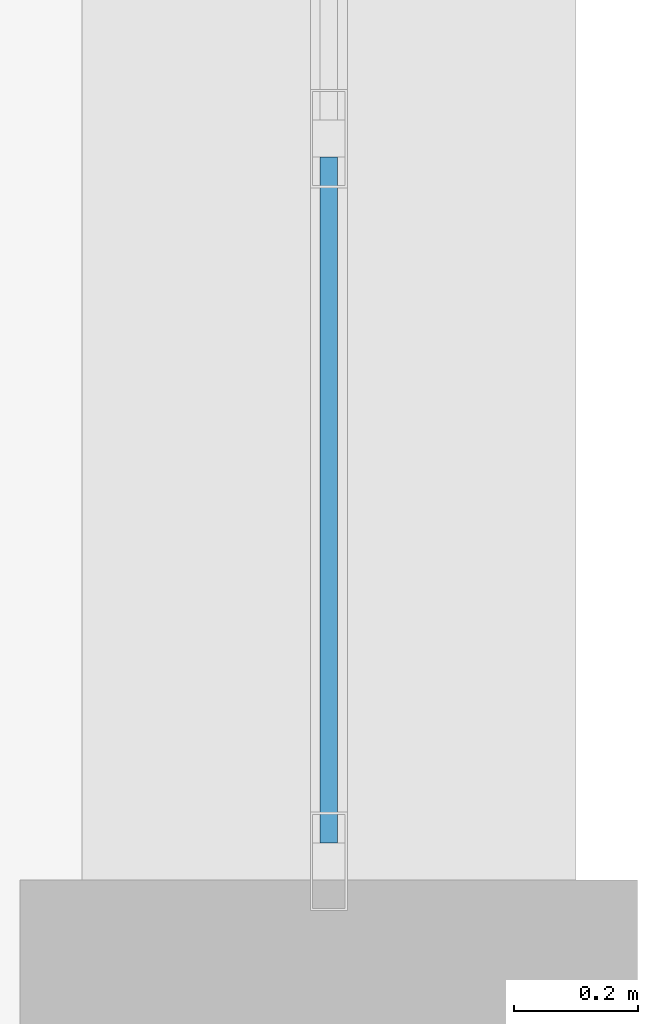
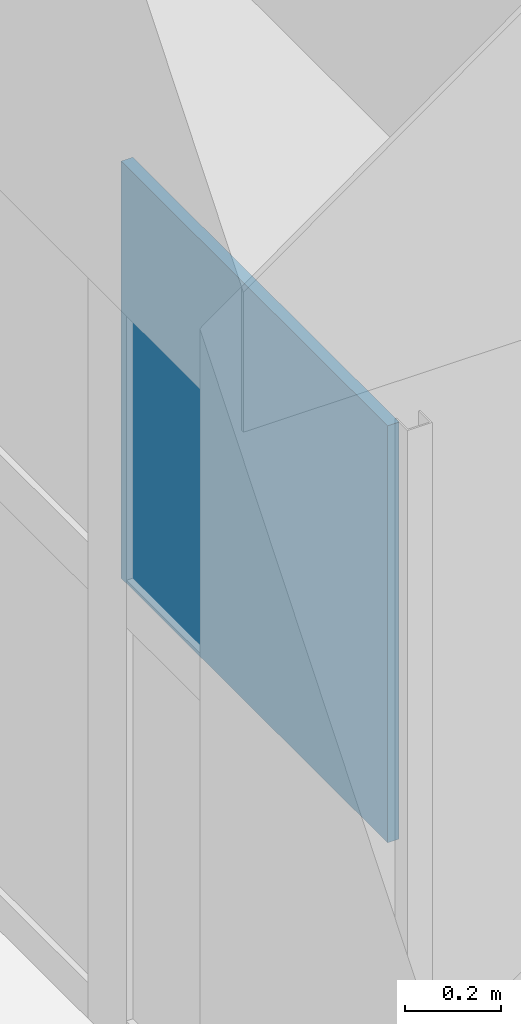
# One storey, part 44 of 74: 1 plate, 1 element without a shape of its own.
"""IFC4 building model written with IfcOpenShell, lengths in metres."""

from ifc_helpers import new_model, si_unit, direction, frame, origin, origin_2d, place, context, subcontext, project, spatial, rectangle, extrude, material, layer, layer_set, type_object, element, aggregate, save


model = new_model("IFC4")

# Units and contexts
model_context = context("Model", 3, precision=1e-05, world=origin(), true_north=direction((0.0, 1.0)))
body_context = subcontext(model_context, "Body", "Model", "MODEL_VIEW")
ifc_project = project(units=[si_unit("LENGTHUNIT", "METRE"), si_unit("AREAUNIT", "SQUARE_METRE"), si_unit("VOLUMEUNIT", "CUBIC_METRE"), si_unit("PLANEANGLEUNIT", "RADIAN"), si_unit("MASSUNIT", "GRAM", prefix="KILO")], contexts=[model_context])

# Site, building, storey
site_placement = place(None, origin())
site = spatial("IfcSite", under=ifc_project, at=site_placement, CompositionType="ELEMENT")
building_placement = place(site_placement, origin())
building = spatial("IfcBuilding", under=site, at=building_placement, Name="Muzn Square Opera House", CompositionType="ELEMENT")
storey_placement = place(building_placement, frame((0.0, 0.0, 14.199951171875)))
storey = spatial("IfcBuildingStorey", under=building, at=storey_placement, Name="L03", CompositionType="ELEMENT", Elevation=14.199951171875)

# Curtain wall, plate
ifc_material = material(Name="Low-E laminated acoustic double glazing", Category="glass")
ifc_layer_1 = layer(ifc_material, 0.159912109375, Name="Low-E laminated acoustic double glazing", Category="glass")
ifc_layer_set_1 = layer_set([ifc_layer_1], Name="Low-E laminated acoustic double glazing")
curtain_wall_type = type_object("IfcCurtainWallType", Name="Glazed Curtain Wall EastVaultCourt 3600x2300", PredefinedType="USERDEFINED", material=ifc_layer_set_1)
curtain_wall_placement = place(storey_placement, origin())
curtain_wall = element("IfcCurtainWall", 1, at=curtain_wall_placement, inside=storey, type_object=curtain_wall_type, Name="Glazed Curtain Wall CW-L03-066", ObjectType="GLAZED CURTAIN WALL", PredefinedType="USERDEFINED")
ifc_layer_2 = layer(ifc_material, 0.028076171875, Name="Low-E laminated acoustic double glazing", Category="glass")
ifc_layer_set_2 = layer_set([ifc_layer_2], Name="Low-E laminated acoustic double glazing")
plate_type = type_object("IfcPlateType", Name="Curtain Wall Acoustic Glazed Panel 28mm", PredefinedType="CURTAIN_PANEL", material=ifc_layer_set_2)
plate_placement = place(storey_placement, frame((133.0, 46.114990234375, 1.179931640625), z_axis=(0.0, 0.0, 1.0), x_axis=(0.0, 1.0, 0.0)))
plate = element("IfcPlate", 2, at=plate_placement, type_object=plate_type, Name="CW-EVC-36x23 panel 1.2", PredefinedType="CURTAIN_PANEL", context=body_context, shape_type="SweptSolid", body=[
    extrude(rectangle(XDim=1.110107421875, YDim=0.028076171875, at=origin_2d()), origin(), (0.0, 0.0, 1.0), 1.06005859375),
])
aggregate(curtain_wall, [plate])

save(model, "model.ifc")
